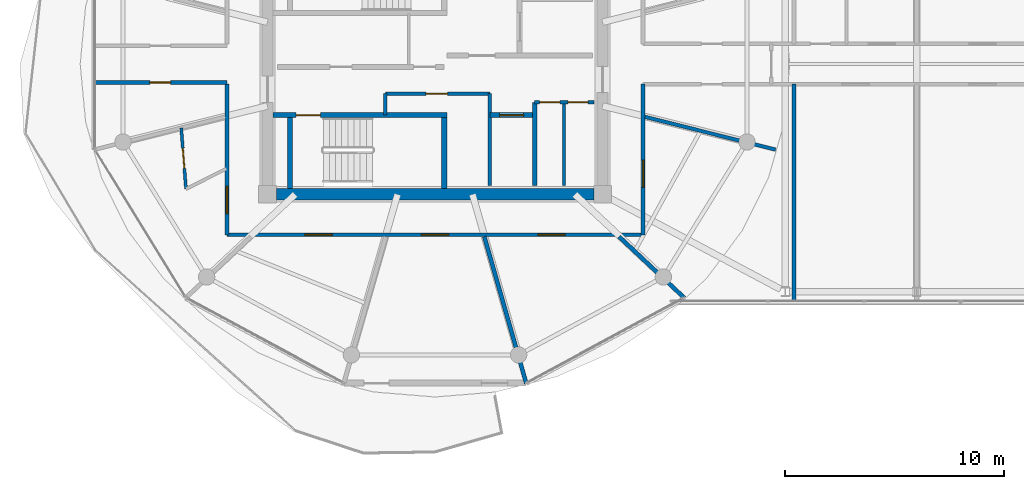
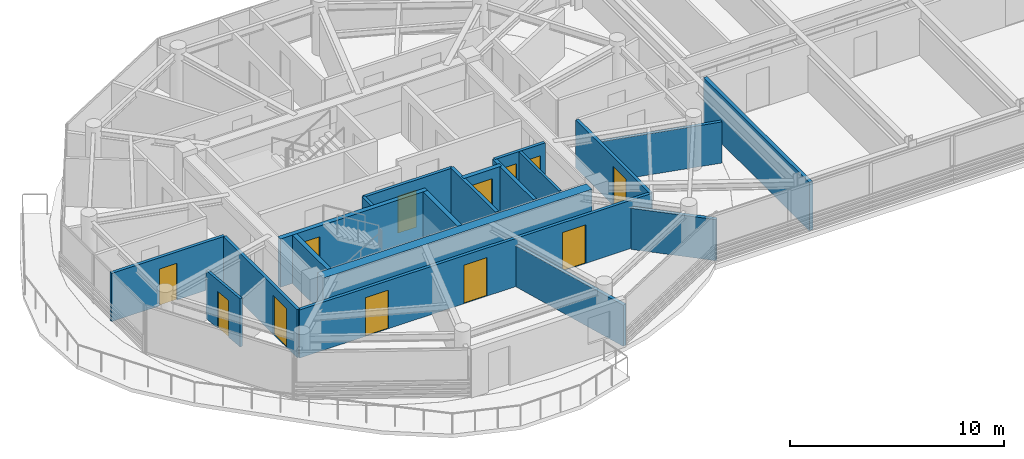
# One storey, part 13 of 24: 20 walls, 12 doors, 12 openings.
"""IFC4 building model written with IfcOpenShell, lengths in metres."""

from ifc_helpers import new_model, si_unit, direction, frame, frame_2d, origin, place, context, subcontext, project, spatial, rectangle, extrude, source, transform, mapped, material, layer, layer_set, type_object, type_shapes, element, fill, save


model = new_model("IFC4")

# Units and contexts
model_context = context("Model", 3, precision=1e-05, world=origin(), true_north=direction((0.0, 1.0)))
body_context = subcontext(model_context, "Body", "Model", "MODEL_VIEW")
ifc_project = project(units=[si_unit("LENGTHUNIT", "METRE"), si_unit("AREAUNIT", "SQUARE_METRE"), si_unit("VOLUMEUNIT", "CUBIC_METRE"), si_unit("PLANEANGLEUNIT", "RADIAN"), si_unit("MASSUNIT", "GRAM", prefix="KILO")], contexts=[model_context])

# Site, building, storey
site_placement = place(None, origin())
site = spatial("IfcSite", under=ifc_project, at=site_placement, CompositionType="ELEMENT")
building_placement = place(site_placement, origin())
building = spatial("IfcBuilding", under=site, at=building_placement, Name="Norrkilde Senior Care Towers", CompositionType="ELEMENT")
storey_placement = place(building_placement, frame((0.0, 0.0, 223.050048828125)))
storey = spatial("IfcBuildingStorey", under=building, at=storey_placement, Name="L69", CompositionType="ELEMENT", Elevation=223.050048828125)

# Wall
ifc_material_1 = material(Name="Concrete C50/60", Category="concrete")
ifc_layer_1 = layer(ifc_material_1, 0.52001953125)
ifc_layer_set_1 = layer_set([ifc_layer_1], Name="Concrete C50/60")
wall_type_1 = type_object("IfcWallType", Name="Core Shear Wall Z4 520", PredefinedType="SHEAR", material=ifc_layer_set_1)
shared_shape_1 = source(origin(), body_context, "Body", "SweptSolid", [
    extrude(rectangle(XDim=14.5, YDim=0.52001953125, at=frame_2d((7.25, 0.0))), origin(), (0.0, 0.0, 1.0), 2.760009765625),
])
type_shapes(wall_type_1, [shared_shape_1])
wall_1_placement = place(storey_placement, frame((-20.75, -5.949951171875, 0.0), z_axis=(0.0, 0.0, 1.0), x_axis=(-1.0, 0.0, 0.0)))
element("IfcWall", 1, at=wall_1_placement, inside=storey, type_object=wall_type_1, Name="L69 Core W South Shear Wall", PredefinedType="SHEAR", context=body_context, shape_type="MappedRepresentation", body=[
    mapped(shared_shape_1, transform((0.0, 0.0, 0.0), x_axis=(1.0, 0.0, 0.0), y_axis=(0.0, 1.0, 0.0), z_axis=(0.0, 0.0, 1.0), scale=1.0)),
])

# Wall, opening, door
ifc_material_2 = material(Name="Concrete C45/55", Category="concrete")
ifc_layer_2 = layer(ifc_material_2, 0.239990234375)
ifc_layer_set_2 = layer_set([ifc_layer_2], Name="Concrete C45/55")
wall_type_2 = type_object("IfcWallType", Name="Shaft and Stair Enclosure Wall 240", PredefinedType="PARTITIONING", material=ifc_layer_set_2)
shared_shape_2 = source(origin(), body_context, "Body", "SweptSolid", [
    extrude(rectangle(XDim=7.929931640625, YDim=0.239990234375, at=frame_2d((3.96484375, 0.0))), origin(), (0.0, 0.0, 1.0), 2.760009765625),
])
wall_2_placement = place(storey_placement, frame((-35.389892578125, -2.330078125, 0.0), z_axis=(0.0, 0.0, 1.0), x_axis=(1.0, 0.0, 0.0)))
wall_2 = element("IfcWall", 2, at=wall_2_placement, inside=storey, type_object=wall_type_2, Name="WL-INT-L69-W-ST2N", PredefinedType="PARTITIONING", context=body_context, shape_type="MappedRepresentation", body=[
    mapped(shared_shape_2, transform((0.0, 0.0, 0.0), x_axis=(1.0, 0.0, 0.0), y_axis=(0.0, 1.0, 0.0), z_axis=(0.0, 0.0, 1.0), scale=1.0)),
])
opening_1_placement = place(wall_2_placement, frame((1.050048828125, 0.0, 0.0)))
opening_1 = element("IfcOpeningElement", 3, at=opening_1_placement, cuts=wall_2, Name="Opening D-03", PredefinedType="OPENING", context=body_context, shape_type="SweptSolid", body=[
    extrude(rectangle(XDim=1.10009765625, YDim=2.14990234375, at=frame_2d((0.550048828125, 1.074951171875))), frame((0.0, 0.1298828125, 0.0), z_axis=(0.0, -1.0, 0.0), x_axis=(1.0, 0.0, 0.0)), (0.0, 0.0, 1.0), 0.260009765625),
])
ifc_material_3 = material(Name="Galvanised Painted Steel", Category="steel")
door_type_1 = type_object("IfcDoorType", Name="Stairwell Protected Fire Door 1100x2150", OperationType="NOTDEFINED", PredefinedType="DOOR", material=ifc_material_3)
shared_shape_3 = source(origin(), body_context, "Body", "SweptSolid", [
    extrude(rectangle(XDim=1.10009765625, YDim=2.14990234375, at=frame_2d((0.550048828125, 1.074951171875))), frame((0.0, 0.02490234375, 0.0), z_axis=(0.0, -1.0, 0.0), x_axis=(1.0, 0.0, 0.0)), (0.0, 0.0, 1.0), 0.050048828125),
])
type_shapes(door_type_1, [shared_shape_3])
door_1_placement = place(opening_1_placement, frame((1.10009765625, 0.0, 0.0), z_axis=(0.0, 0.0, 1.0), x_axis=(-1.0, 0.0, 0.0)))
door_1 = element("IfcDoor", 4, at=door_1_placement, inside=storey, type_object=door_type_1, Name="L69 Stair W2 Fire Door", OperationType="SINGLE_SWING_RIGHT", OverallHeight=2.14990234375, OverallWidth=1.10009765625, PredefinedType="DOOR", context=body_context, shape_type="MappedRepresentation", body=[
    mapped(shared_shape_3, transform((0.0, 0.0, 0.0), x_axis=(1.0, 0.0, 0.0), y_axis=(0.0, 1.0, 0.0), z_axis=(0.0, 0.0, 1.0), scale=1.0)),
])
fill(opening_1, door_1)

# Walls
shared_shape_4 = source(origin(), body_context, "Body", "SweptSolid", [
    extrude(rectangle(XDim=3.239990234375, YDim=0.239990234375, at=frame_2d((1.6201171875, 0.0))), origin(), (0.0, 0.0, 1.0), 2.760009765625),
])
type_shapes(wall_type_2, [shared_shape_2, shared_shape_4])
for number, where, z_axis, x_axis, name in (
    (5, (-34.6201171875, -5.68994140625, 0.0), (0.0, 0.0, 1.0), (0.0, 1.0, 0.0), "WL-INT-L69-W-ST2W"),
    (6, (-27.580078125, -5.68994140625, 0.0), (0.0, 0.0, 1.0), (0.0, 1.0, 0.0), "WL-INT-L69-W-ST2E"),
):
    element("IfcWall", number, at=place(storey_placement, frame(where, z_axis=z_axis, x_axis=x_axis)), inside=storey, type_object=wall_type_2, Name=name, PredefinedType="PARTITIONING", context=body_context, shape_type="MappedRepresentation", body=[
        mapped(shared_shape_4, transform((0.0, 0.0, 0.0), x_axis=(1.0, 0.0, 0.0), y_axis=(0.0, 1.0, 0.0), z_axis=(0.0, 0.0, 1.0), scale=1.0)),
    ])
ifc_material_4 = material(Name="Gypsum Acoustic Board")
ifc_layer_3 = layer(ifc_material_4, 0.1650390625)
ifc_layer_set_3 = layer_set([ifc_layer_3], Name="Gypsum Acoustic Board")
wall_type_3 = type_object("IfcWallType", Name="Corridor Rated Partition 165", PredefinedType="PARTITIONING", material=ifc_layer_set_3)
shared_shape_5 = source(origin(), body_context, "Body", "SweptSolid", [
    extrude(rectangle(XDim=6.1572265625, YDim=0.1650390625, at=frame_2d((3.07861328125, 0.0))), origin(), (0.0, 0.0, 1.0), 2.344970703125),
])
wall_3_placement = place(storey_placement, frame((-18.419921875, -2.407470703125, 0.0), z_axis=(0.0, 0.0, 1.0), x_axis=(0.969840867184, -0.243738984038, 0.0)))
element("IfcWall", 7, at=wall_3_placement, inside=storey, type_object=wall_type_3, Name="WL-INT-L69-W-DEM-11-0", PredefinedType="PARTITIONING", context=body_context, shape_type="MappedRepresentation", body=[
    mapped(shared_shape_5, transform((0.0, 0.0, 0.0), x_axis=(1.0, 0.0, 0.0), y_axis=(0.0, 1.0, 0.0), z_axis=(0.0, 0.0, 1.0), scale=1.0)),
])
ifc_layer_4 = layer(ifc_material_4, 0.18994140625)
ifc_layer_set_4 = layer_set([ifc_layer_4], Name="Gypsum Acoustic Board")
wall_type_4 = type_object("IfcWallType", Name="Unit Demising Acoustic Wall 190", PredefinedType="PARTITIONING", material=ifc_layer_set_4)
shared_shape_6 = source(origin(), body_context, "Body", "SweptSolid", [
    extrude(rectangle(XDim=4.089111328125, YDim=0.18994140625, at=frame_2d((2.04443359375, 0.0))), origin(), (0.0, 0.0, 1.0), 2.344970703125),
])
wall_4_placement = place(storey_placement, frame((-19.59814453125, -7.8798828125, 0.0), z_axis=(0.0, 0.0, 1.0), x_axis=(0.729401273609, -0.684086092577, 0.0)))
element("IfcWall", 8, at=wall_4_placement, inside=storey, type_object=wall_type_4, Name="WL-INT-L69-W-DEM-10-0", PredefinedType="PARTITIONING", context=body_context, shape_type="MappedRepresentation", body=[
    mapped(shared_shape_6, transform((0.0, 0.0, 0.0), x_axis=(1.0, 0.0, 0.0), y_axis=(0.0, 1.0, 0.0), z_axis=(0.0, 0.0, 1.0), scale=1.0)),
])
shared_shape_7 = source(origin(), body_context, "Body", "SweptSolid", [
    extrude(rectangle(XDim=6.973876953125, YDim=0.18994140625, at=frame_2d((3.48681640625, 0.0))), origin(), (0.0, 0.0, 1.0), 2.344970703125),
])
wall_5_placement = place(storey_placement, frame((-25.748779296875, -7.8798828125, 0.0), z_axis=(0.0, 0.0, 1.0), x_axis=(0.274707256801, -0.961527910703, 0.0)))
element("IfcWall", 9, at=wall_5_placement, inside=storey, type_object=wall_type_4, Name="WL-INT-L69-W-DEM-09-0", PredefinedType="PARTITIONING", context=body_context, shape_type="MappedRepresentation", body=[
    mapped(shared_shape_7, transform((0.0, 0.0, 0.0), x_axis=(1.0, 0.0, 0.0), y_axis=(0.0, 1.0, 0.0), z_axis=(0.0, 0.0, 1.0), scale=1.0)),
])
ifc_layer_5 = layer(ifc_material_2, 0.199951171875)
ifc_layer_set_5 = layer_set([ifc_layer_5], Name="Concrete C45/55")
wall_type_5 = type_object("IfcWallType", Name="Shaft Division and Plant Partition 200", PredefinedType="PARTITIONING", material=ifc_layer_set_5)
shared_shape_8 = source(origin(), body_context, "Body", "SweptSolid", [
    extrude(rectangle(XDim=3.800048828125, YDim=0.199951171875, at=frame_2d((1.89990234375, 0.0))), origin(), (0.0, 0.0, 1.0), 2.744873046875),
])
type_shapes(wall_type_5, [shared_shape_8])
wall_6_placement = place(storey_placement, frame((-23.449951171875, -5.550048828125, 0.0), z_axis=(0.0, 0.0, 1.0), x_axis=(0.0, 1.0, 0.0)))
element("IfcWall", 10, at=wall_6_placement, inside=storey, type_object=wall_type_5, Name="WL-INT-L69-W-PKBE", PredefinedType="PARTITIONING", context=body_context, shape_type="MappedRepresentation", body=[
    mapped(shared_shape_8, transform((0.0, 0.0, 0.0), x_axis=(1.0, 0.0, 0.0), y_axis=(0.0, 1.0, 0.0), z_axis=(0.0, 0.0, 1.0), scale=1.0)),
])

# Wall, opening, door
ifc_layer_6 = layer(ifc_material_2, 0.239990234375)
ifc_layer_set_6 = layer_set([ifc_layer_6], Name="Concrete C45/55")
wall_type_6 = type_object("IfcWallType", Name="Lift and Plant Rated Enclosure Partition 240", PredefinedType="PARTITIONING", material=ifc_layer_set_6)
shared_shape_9 = source(origin(), body_context, "Body", "SweptSolid", [
    extrude(rectangle(XDim=2.050048828125, YDim=0.239990234375, at=frame_2d((1.02490234375, 0.0))), origin(), (0.0, 0.0, 1.0), 2.744873046875),
])
type_shapes(wall_type_6, [shared_shape_9])
wall_7_placement = place(storey_placement, frame((-25.5, -2.330078125, 0.0), z_axis=(0.0, 0.0, 1.0), x_axis=(1.0, 0.0, 0.0)))
wall_7 = element("IfcWall", 11, at=wall_7_placement, inside=storey, type_object=wall_type_6, Name="WL-INT-L69-W-PL4N", PredefinedType="PARTITIONING", context=body_context, shape_type="MappedRepresentation", body=[
    mapped(shared_shape_9, transform((0.0, 0.0, 0.0), x_axis=(1.0, 0.0, 0.0), y_axis=(0.0, 1.0, 0.0), z_axis=(0.0, 0.0, 1.0), scale=1.0)),
])
opening_2_placement = place(wall_7_placement, frame((0.449951171875, 0.0, 0.0)))
opening_2 = element("IfcOpeningElement", 12, at=opening_2_placement, cuts=wall_7, Name="Opening LD-01", PredefinedType="OPENING", context=body_context, shape_type="SweptSolid", body=[
    extrude(rectangle(XDim=1.10009765625, YDim=2.199951171875, at=frame_2d((0.550048828125, 1.10009765625))), frame((0.0, 0.1298828125, 0.0), z_axis=(0.0, -1.0, 0.0), x_axis=(1.0, 0.0, 0.0)), (0.0, 0.0, 1.0), 0.260009765625),
])
ifc_material_5 = material(Name="Stainless Steel", Category="steel")
door_type_2 = type_object("IfcDoorType", Name="Lift Landing Sliding Door 1100x2200", OperationType="NOTDEFINED", PredefinedType="DOOR", material=ifc_material_5)
shared_shape_10 = source(origin(), body_context, "Body", "SweptSolid", [
    extrude(rectangle(XDim=1.10009765625, YDim=2.199951171875, at=frame_2d((0.550048828125, 1.10009765625))), frame((0.0, 0.02490234375, 0.0), z_axis=(0.0, -1.0, 0.0), x_axis=(1.0, 0.0, 0.0)), (0.0, 0.0, 1.0), 0.050048828125),
])
type_shapes(door_type_2, [shared_shape_10])
door_2_placement = place(opening_2_placement, frame((1.10009765625, 0.0, 0.0), z_axis=(0.0, 0.0, 1.0), x_axis=(-1.0, 0.0, 0.0)))
door_2 = element("IfcDoor", 13, at=door_2_placement, inside=storey, type_object=door_type_2, Name="L69 Passenger Lift W4 Landing Door", OperationType="SLIDING_TO_RIGHT", OverallHeight=2.199951171875, OverallWidth=1.10009765625, PredefinedType="DOOR", context=body_context, shape_type="MappedRepresentation", body=[
    mapped(shared_shape_10, transform((0.0, 0.0, 0.0), x_axis=(1.0, 0.0, 0.0), y_axis=(0.0, 1.0, 0.0), z_axis=(0.0, 0.0, 1.0), scale=1.0)),
])
fill(opening_2, door_2)

# Wall
ifc_layer_7 = layer(ifc_material_2, 0.179931640625)
ifc_layer_set_7 = layer_set([ifc_layer_7], Name="Concrete C45/55")
wall_type_7 = type_object("IfcWallType", Name="Hoistway Division Rated Partition 180", PredefinedType="PARTITIONING", material=ifc_layer_set_7)
shared_shape_11 = source(origin(), body_context, "Body", "SweptSolid", [
    extrude(rectangle(XDim=4.199951171875, YDim=0.179931640625, at=frame_2d((2.10009765625, 0.0))), origin(), (0.0, 0.0, 1.0), 2.744873046875),
])
type_shapes(wall_type_7, [shared_shape_11])
wall_8_placement = place(storey_placement, frame((-25.5, -5.550048828125, 0.0), z_axis=(0.0, 0.0, 1.0), x_axis=(0.0, 1.0, 0.0)))
element("IfcWall", 14, at=wall_8_placement, inside=storey, type_object=wall_type_7, Name="WL-INT-L69-W-PL4W", PredefinedType="PARTITIONING", context=body_context, shape_type="MappedRepresentation", body=[
    mapped(shared_shape_11, transform((0.0, 0.0, 0.0), x_axis=(1.0, 0.0, 0.0), y_axis=(0.0, 1.0, 0.0), z_axis=(0.0, 0.0, 1.0), scale=1.0)),
])

# Wall, opening, door
shared_shape_12 = source(origin(), body_context, "Body", "SweptSolid", [
    extrude(rectangle(XDim=4.77001953125, YDim=0.1650390625, at=frame_2d((2.385009765625, 0.0))), origin(), (0.0, 0.0, 1.0), 2.744873046875),
])
wall_9_placement = place(storey_placement, frame((-30.27001953125, -1.35009765625, 0.0), z_axis=(0.0, 0.0, 1.0), x_axis=(1.0, 0.0, 0.0)))
wall_9 = element("IfcWall", 15, at=wall_9_placement, inside=storey, type_object=wall_type_3, Name="WL-INT-L69-W-FR2N", PredefinedType="PARTITIONING", context=body_context, shape_type="MappedRepresentation", body=[
    mapped(shared_shape_12, transform((0.0, 0.0, 0.0), x_axis=(1.0, 0.0, 0.0), y_axis=(0.0, 1.0, 0.0), z_axis=(0.0, 0.0, 1.0), scale=1.0)),
])
opening_3_placement = place(wall_9_placement, frame((1.85009765625, 0.0, 0.0)))
opening_3 = element("IfcOpeningElement", 16, at=opening_3_placement, cuts=wall_9, Name="Opening D-10", PredefinedType="OPENING", context=body_context, shape_type="SweptSolid", body=[
    extrude(rectangle(XDim=1.0, YDim=2.10009765625, at=frame_2d((0.5, 1.050048828125))), frame((0.0, 0.092529296875, 0.0), z_axis=(0.0, -1.0, 0.0), x_axis=(1.0, 0.0, 0.0)), (0.0, 0.0, 1.0), 0.18505859375),
])
door_type_3 = type_object("IfcDoorType", Name="Plant and Riser Rated Door 1000x2100", OperationType="NOTDEFINED", PredefinedType="DOOR", material=ifc_material_3)
shared_shape_13 = source(origin(), body_context, "Body", "SweptSolid", [
    extrude(rectangle(XDim=1.0, YDim=2.10009765625, at=frame_2d((0.5, 1.050048828125))), frame((0.0, 0.02490234375, 0.0), z_axis=(0.0, -1.0, 0.0), x_axis=(1.0, 0.0, 0.0)), (0.0, 0.0, 1.0), 0.050048828125),
])
type_shapes(door_type_3, [shared_shape_13])
door_3_placement = place(opening_3_placement, origin())
door_3 = element("IfcDoor", 17, at=door_3_placement, inside=storey, type_object=door_type_3, Name="L69 Core Pantry W Door", OperationType="SINGLE_SWING_RIGHT", OverallHeight=2.10009765625, OverallWidth=1.0, PredefinedType="DOOR", context=body_context, shape_type="MappedRepresentation", body=[
    mapped(shared_shape_13, transform((0.0, 0.0, 0.0), x_axis=(1.0, 0.0, 0.0), y_axis=(0.0, 1.0, 0.0), z_axis=(0.0, 0.0, 1.0), scale=1.0)),
])
fill(opening_3, door_3)

# Wall
shared_shape_14 = source(origin(), body_context, "Body", "SweptSolid", [
    extrude(rectangle(XDim=0.97998046875, YDim=0.1650390625, at=frame_2d((0.489990234375, 0.0))), origin(), (0.0, 0.0, 1.0), 2.744873046875),
])
wall_10_placement = place(storey_placement, frame((-30.27001953125, -2.330078125, 0.0), z_axis=(0.0, 0.0, 1.0), x_axis=(0.0, 1.0, 0.0)))
element("IfcWall", 18, at=wall_10_placement, inside=storey, type_object=wall_type_3, Name="WL-INT-L69-W-FR2W", PredefinedType="PARTITIONING", context=body_context, shape_type="MappedRepresentation", body=[
    mapped(shared_shape_14, transform((0.0, 0.0, 0.0), x_axis=(1.0, 0.0, 0.0), y_axis=(0.0, 1.0, 0.0), z_axis=(0.0, 0.0, 1.0), scale=1.0)),
])

# Wall, openings, doors
shared_shape_15 = source(origin(), body_context, "Body", "SweptSolid", [
    extrude(rectangle(XDim=2.699951171875, YDim=0.1650390625, at=frame_2d((1.35009765625, 0.0))), origin(), (0.0, 0.0, 1.0), 2.744873046875),
])
wall_11_placement = place(storey_placement, frame((-23.449951171875, -1.75, 0.0), z_axis=(0.0, 0.0, 1.0), x_axis=(1.0, 0.0, 0.0)))
wall_11 = element("IfcWall", 19, at=wall_11_placement, inside=storey, type_object=wall_type_3, Name="WL-INT-L69-W-CSN", PredefinedType="PARTITIONING", context=body_context, shape_type="MappedRepresentation", body=[
    mapped(shared_shape_15, transform((0.0, 0.0, 0.0), x_axis=(1.0, 0.0, 0.0), y_axis=(0.0, 1.0, 0.0), z_axis=(0.0, 0.0, 1.0), scale=1.0)),
])
opening_4_placement = place(wall_11_placement, frame((0.222412109375, 0.0, 0.0)))
opening_4 = element("IfcOpeningElement", 20, at=opening_4_placement, cuts=wall_11, Name="Opening D-12", PredefinedType="OPENING", context=body_context, shape_type="SweptSolid", body=[
    extrude(rectangle(XDim=0.925048828125, YDim=2.10009765625, at=frame_2d((0.46240234375, 1.050048828125))), frame((0.0, 0.092529296875, 0.0), z_axis=(0.0, -1.0, 0.0), x_axis=(1.0, 0.0, 0.0)), (0.0, 0.0, 1.0), 0.18505859375),
])
opening_5_placement = place(wall_11_placement, frame((1.5224609375, 0.0, 0.0)))
opening_5 = element("IfcOpeningElement", 21, at=opening_5_placement, cuts=wall_11, Name="Opening D-12", PredefinedType="OPENING", context=body_context, shape_type="SweptSolid", body=[
    extrude(rectangle(XDim=0.925048828125, YDim=2.10009765625, at=frame_2d((0.46240234375, 1.050048828125))), frame((0.0, 0.092529296875, 0.0), z_axis=(0.0, -1.0, 0.0), x_axis=(1.0, 0.0, 0.0)), (0.0, 0.0, 1.0), 0.18505859375),
])
door_type_4 = type_object("IfcDoorType", Name="Core Wet Room Rated Door 925x2100", OperationType="NOTDEFINED", PredefinedType="DOOR", material=ifc_material_3)
shared_shape_16 = source(origin(), body_context, "Body", "SweptSolid", [
    extrude(rectangle(XDim=0.925048828125, YDim=2.10009765625, at=frame_2d((0.46240234375, 1.050048828125))), frame((0.0, 0.02490234375, 0.0), z_axis=(0.0, -1.0, 0.0), x_axis=(1.0, 0.0, 0.0)), (0.0, 0.0, 1.0), 0.050048828125),
])
type_shapes(door_type_4, [shared_shape_16])
door_4_placement = place(opening_4_placement, origin())
door_4 = element("IfcDoor", 22, at=door_4_placement, inside=storey, type_object=door_type_4, Name="L69 Staff Accessible WC W Door", OperationType="SINGLE_SWING_LEFT", OverallHeight=2.10009765625, OverallWidth=0.925048828125, PredefinedType="DOOR", context=body_context, shape_type="MappedRepresentation", body=[
    mapped(shared_shape_16, transform((0.0, 0.0, 0.0), x_axis=(1.0, 0.0, 0.0), y_axis=(0.0, 1.0, 0.0), z_axis=(0.0, 0.0, 1.0), scale=1.0)),
])
fill(opening_4, door_4)
door_5_placement = place(opening_5_placement, origin())
door_5 = element("IfcDoor", 23, at=door_5_placement, inside=storey, type_object=door_type_4, Name="L69 Housekeeping Store W Door", OperationType="SINGLE_SWING_RIGHT", OverallHeight=2.10009765625, OverallWidth=0.925048828125, PredefinedType="DOOR", context=body_context, shape_type="MappedRepresentation", body=[
    mapped(shared_shape_16, transform((0.0, 0.0, 0.0), x_axis=(1.0, 0.0, 0.0), y_axis=(0.0, 1.0, 0.0), z_axis=(0.0, 0.0, 1.0), scale=1.0)),
])
fill(opening_5, door_5)

shared_shape_17 = source(origin(), body_context, "Body", "SweptSolid", [
    extrude(rectangle(XDim=19.0, YDim=0.1650390625, at=frame_2d((9.5, 0.0))), origin(), (0.0, 0.0, 1.0), 2.744873046875),
])
wall_12_placement = place(storey_placement, frame((-18.5, -7.800048828125, 0.0), z_axis=(0.0, 0.0, 1.0), x_axis=(-1.0, 0.0, 0.0)))
wall_12 = element("IfcWall", 24, at=wall_12_placement, inside=storey, type_object=wall_type_3, Name="WL-INT-L69-W-CRW-S-0", PredefinedType="PARTITIONING", context=body_context, shape_type="MappedRepresentation", body=[
    mapped(shared_shape_17, transform((0.0, 0.0, 0.0), x_axis=(1.0, 0.0, 0.0), y_axis=(0.0, 1.0, 0.0), z_axis=(0.0, 0.0, 1.0), scale=1.0)),
])
opening_6_placement = place(wall_12_placement, frame((14.19140625, 0.0, 0.0)))
opening_6 = element("IfcOpeningElement", 25, at=opening_6_placement, cuts=wall_12, Name="Opening D-05", PredefinedType="OPENING", context=body_context, shape_type="SweptSolid", body=[
    extrude(rectangle(XDim=1.25, YDim=2.199951171875, at=frame_2d((0.625, 1.10009765625))), frame((0.0, 0.092529296875, 0.0), z_axis=(0.0, -1.0, 0.0), x_axis=(1.0, 0.0, 0.0)), (0.0, 0.0, 1.0), 0.18505859375),
])
opening_7_placement = place(wall_12_placement, frame((8.875, 0.0, 0.0)))
opening_7 = element("IfcOpeningElement", 26, at=opening_7_placement, cuts=wall_12, Name="Opening D-05", PredefinedType="OPENING", context=body_context, shape_type="SweptSolid", body=[
    extrude(rectangle(XDim=1.25, YDim=2.199951171875, at=frame_2d((0.625, 1.10009765625))), frame((0.0, 0.092529296875, 0.0), z_axis=(0.0, -1.0, 0.0), x_axis=(1.0, 0.0, 0.0)), (0.0, 0.0, 1.0), 0.18505859375),
])
opening_8_placement = place(wall_12_placement, frame((3.55859375, 0.0, 0.0)))
opening_8 = element("IfcOpeningElement", 27, at=opening_8_placement, cuts=wall_12, Name="Opening D-05", PredefinedType="OPENING", context=body_context, shape_type="SweptSolid", body=[
    extrude(rectangle(XDim=1.25, YDim=2.199951171875, at=frame_2d((0.625, 1.10009765625))), frame((0.0, 0.092529296875, 0.0), z_axis=(0.0, -1.0, 0.0), x_axis=(1.0, 0.0, 0.0)), (0.0, 0.0, 1.0), 0.18505859375),
])
ifc_material_6 = material(Name="Nordic Ash Timber", Category="wood")
door_type_5 = type_object("IfcDoorType", Name="Care Bedroom Bariatric Door 1250x2200", OperationType="NOTDEFINED", PredefinedType="DOOR", material=ifc_material_6)
shared_shape_18 = source(origin(), body_context, "Body", "SweptSolid", [
    extrude(rectangle(XDim=1.25, YDim=2.199951171875, at=frame_2d((0.625, 1.10009765625))), frame((0.0, 0.02490234375, 0.0), z_axis=(0.0, -1.0, 0.0), x_axis=(1.0, 0.0, 0.0)), (0.0, 0.0, 1.0), 0.050048828125),
])
type_shapes(door_type_5, [shared_shape_18])
door_6_placement = place(opening_6_placement, frame((1.25, 0.0, 0.0), z_axis=(0.0, 0.0, 1.0), x_axis=(-1.0, 0.0, 0.0)))
door_6 = element("IfcDoor", 28, at=door_6_placement, inside=storey, type_object=door_type_5, Name="L69 Household Communal Dining Salon Door", OperationType="SINGLE_SWING_RIGHT", OverallHeight=2.199951171875, OverallWidth=1.25, PredefinedType="DOOR", context=body_context, shape_type="MappedRepresentation", body=[
    mapped(shared_shape_18, transform((0.0, 0.0, 0.0), x_axis=(1.0, 0.0, 0.0), y_axis=(0.0, 1.0, 0.0), z_axis=(0.0, 0.0, 1.0), scale=1.0)),
])
fill(opening_6, door_6)
door_7_placement = place(opening_7_placement, frame((1.25, 0.0, 0.0), z_axis=(0.0, 0.0, 1.0), x_axis=(-1.0, 0.0, 0.0)))
door_7 = element("IfcDoor", 29, at=door_7_placement, inside=storey, type_object=door_type_5, Name="L69 Resident Therapeutic Day Lounge Door", OperationType="SINGLE_SWING_LEFT", OverallHeight=2.199951171875, OverallWidth=1.25, PredefinedType="DOOR", context=body_context, shape_type="MappedRepresentation", body=[
    mapped(shared_shape_18, transform((0.0, 0.0, 0.0), x_axis=(1.0, 0.0, 0.0), y_axis=(0.0, 1.0, 0.0), z_axis=(0.0, 0.0, 1.0), scale=1.0)),
])
fill(opening_7, door_7)
door_8_placement = place(opening_8_placement, frame((1.25, 0.0, 0.0), z_axis=(0.0, 0.0, 1.0), x_axis=(-1.0, 0.0, 0.0)))
door_8 = element("IfcDoor", 30, at=door_8_placement, inside=storey, type_object=door_type_5, Name="L69 Care Coordination Charting Office Door", OperationType="SINGLE_SWING_RIGHT", OverallHeight=2.199951171875, OverallWidth=1.25, PredefinedType="DOOR", context=body_context, shape_type="MappedRepresentation", body=[
    mapped(shared_shape_18, transform((0.0, 0.0, 0.0), x_axis=(1.0, 0.0, 0.0), y_axis=(0.0, 1.0, 0.0), z_axis=(0.0, 0.0, 1.0), scale=1.0)),
])
fill(opening_8, door_8)

# Wall, opening, door
shared_shape_19 = source(origin(), body_context, "Body", "SweptSolid", [
    extrude(rectangle(XDim=6.880126953125, YDim=0.1650390625, at=frame_2d((3.43994140625, 0.0))), origin(), (0.0, 0.0, 1.0), 2.744873046875),
])
wall_13_placement = place(storey_placement, frame((-37.5, -7.800048828125, 0.0), z_axis=(0.0, 0.0, 1.0), x_axis=(0.0, 1.0, 0.0)))
wall_13 = element("IfcWall", 31, at=wall_13_placement, inside=storey, type_object=wall_type_3, Name="WL-INT-L69-W-CRW-W-0", PredefinedType="PARTITIONING", context=body_context, shape_type="MappedRepresentation", body=[
    mapped(shared_shape_19, transform((0.0, 0.0, 0.0), x_axis=(1.0, 0.0, 0.0), y_axis=(0.0, 1.0, 0.0), z_axis=(0.0, 0.0, 1.0), scale=1.0)),
])
opening_9_placement = place(wall_13_placement, frame((0.96826171875, 0.0, 0.0)))
opening_9 = element("IfcOpeningElement", 32, at=opening_9_placement, cuts=wall_13, Name="Opening D-05", PredefinedType="OPENING", context=body_context, shape_type="SweptSolid", body=[
    extrude(rectangle(XDim=1.25, YDim=2.199951171875, at=frame_2d((0.625, 1.10009765625))), frame((0.0, 0.092529296875, 0.0), z_axis=(0.0, -1.0, 0.0), x_axis=(1.0, 0.0, 0.0)), (0.0, 0.0, 1.0), 0.18505859375),
])
door_9_placement = place(opening_9_placement, frame((1.25, 0.0, 0.0), z_axis=(0.0, 0.0, 1.0), x_axis=(-1.0, 0.0, 0.0)))
door_9 = element("IfcDoor", 33, at=door_9_placement, inside=storey, type_object=door_type_5, Name="L69 Care Suite 6906 Entrance Door", OperationType="SINGLE_SWING_LEFT", OverallHeight=2.199951171875, OverallWidth=1.25, PredefinedType="DOOR", context=body_context, shape_type="MappedRepresentation", body=[
    mapped(shared_shape_18, transform((0.0, 0.0, 0.0), x_axis=(1.0, 0.0, 0.0), y_axis=(0.0, 1.0, 0.0), z_axis=(0.0, 0.0, 1.0), scale=1.0)),
])
fill(opening_9, door_9)

wall_14_placement = place(storey_placement, frame((-18.5, -0.919921875, 0.0), z_axis=(0.0, 0.0, 1.0), x_axis=(0.0, -1.0, 0.0)))
wall_14 = element("IfcWall", 34, at=wall_14_placement, inside=storey, type_object=wall_type_3, Name="WL-INT-L69-W-CRW-E-1", PredefinedType="PARTITIONING", context=body_context, shape_type="MappedRepresentation", body=[
    mapped(shared_shape_19, transform((0.0, 0.0, 0.0), x_axis=(1.0, 0.0, 0.0), y_axis=(0.0, 1.0, 0.0), z_axis=(0.0, 0.0, 1.0), scale=1.0)),
])
opening_10_placement = place(wall_14_placement, frame((3.46435546875, 0.0, 0.0)))
opening_10 = element("IfcOpeningElement", 35, at=opening_10_placement, cuts=wall_14, Name="Opening D-05", PredefinedType="OPENING", context=body_context, shape_type="SweptSolid", body=[
    extrude(rectangle(XDim=1.25, YDim=2.199951171875, at=frame_2d((0.625, 1.10009765625))), frame((0.0, 0.092529296875, 0.0), z_axis=(0.0, -1.0, 0.0), x_axis=(1.0, 0.0, 0.0)), (0.0, 0.0, 1.0), 0.18505859375),
])
door_10_placement = place(opening_10_placement, frame((1.25, 0.0, 0.0), z_axis=(0.0, 0.0, 1.0), x_axis=(-1.0, 0.0, 0.0)))
door_10 = element("IfcDoor", 36, at=door_10_placement, inside=storey, type_object=door_type_5, Name="L69 Household Therapeutic Kitchen Door", OperationType="SINGLE_SWING_LEFT", OverallHeight=2.199951171875, OverallWidth=1.25, PredefinedType="DOOR", context=body_context, shape_type="MappedRepresentation", body=[
    mapped(shared_shape_18, transform((0.0, 0.0, 0.0), x_axis=(1.0, 0.0, 0.0), y_axis=(0.0, 1.0, 0.0), z_axis=(0.0, 0.0, 1.0), scale=1.0)),
])
fill(opening_10, door_10)

shared_shape_20 = source(origin(), body_context, "Body", "SweptSolid", [
    extrude(rectangle(XDim=6.101318359375, YDim=0.1650390625, at=frame_2d((3.05078125, 0.0))), origin(), (0.0, 0.0, 1.0), 2.744873046875),
])
type_shapes(wall_type_3, [shared_shape_5, shared_shape_12, shared_shape_14, shared_shape_15, shared_shape_17, shared_shape_19, shared_shape_20])
wall_15_placement = place(storey_placement, frame((-37.5, -0.840087890625, 0.0), z_axis=(0.0, 0.0, 1.0), x_axis=(-1.0, 0.0, 0.0)))
wall_15 = element("IfcWall", 37, at=wall_15_placement, inside=storey, type_object=wall_type_3, Name="WL-INT-L69-W-SPK-W2-0", PredefinedType="PARTITIONING", context=body_context, shape_type="MappedRepresentation", body=[
    mapped(shared_shape_20, transform((0.0, 0.0, 0.0), x_axis=(1.0, 0.0, 0.0), y_axis=(0.0, 1.0, 0.0), z_axis=(0.0, 0.0, 1.0), scale=1.0)),
])
opening_11_placement = place(wall_15_placement, frame((2.57568359375, 0.0, 0.0)))
opening_11 = element("IfcOpeningElement", 38, at=opening_11_placement, cuts=wall_15, Name="Opening D-07", PredefinedType="OPENING", context=body_context, shape_type="SweptSolid", body=[
    extrude(rectangle(XDim=0.949951171875, YDim=2.10009765625, at=frame_2d((0.47509765625, 1.050048828125))), frame((0.0, 0.092529296875, 0.0), z_axis=(0.0, -1.0, 0.0), x_axis=(1.0, 0.0, 0.0)), (0.0, 0.0, 1.0), 0.18505859375),
])
door_type_6 = type_object("IfcDoorType", Name="Internal Suite Bedroom Door 950x2100", OperationType="NOTDEFINED", PredefinedType="DOOR", material=ifc_material_6)
shared_shape_21 = source(origin(), body_context, "Body", "SweptSolid", [
    extrude(rectangle(XDim=0.949951171875, YDim=2.10009765625, at=frame_2d((0.47509765625, 1.050048828125))), frame((0.0, 0.02490234375, 0.0), z_axis=(0.0, -1.0, 0.0), x_axis=(1.0, 0.0, 0.0)), (0.0, 0.0, 1.0), 0.050048828125),
])
type_shapes(door_type_6, [shared_shape_21])
door_11_placement = place(opening_11_placement, frame((0.949951171875, 0.0, 0.0), z_axis=(0.0, 0.0, 1.0), x_axis=(-1.0, 0.0, 0.0)))
door_11 = element("IfcDoor", 39, at=door_11_placement, inside=storey, type_object=door_type_6, Name="L69 Sun Reading Lounge 1 Door", OperationType="SINGLE_SWING_RIGHT", OverallHeight=2.10009765625, OverallWidth=0.949951171875, PredefinedType="DOOR", context=body_context, shape_type="MappedRepresentation", body=[
    mapped(shared_shape_21, transform((0.0, 0.0, 0.0), x_axis=(1.0, 0.0, 0.0), y_axis=(0.0, 1.0, 0.0), z_axis=(0.0, 0.0, 1.0), scale=1.0)),
])
fill(opening_11, door_11)

ifc_layer_8 = layer(ifc_material_4, 0.139892578125)
ifc_layer_set_8 = layer_set([ifc_layer_8], Name="Gypsum Acoustic Board")
wall_type_8 = type_object("IfcWallType", Name="En-suite Wet Room Wall 140", PredefinedType="PARTITIONING", material=ifc_layer_set_8)
shared_shape_22 = source(origin(), body_context, "Body", "SweptSolid", [
    extrude(rectangle(XDim=2.79833984375, YDim=0.139892578125, at=frame_2d((1.399169921875, 0.0))), origin(), (0.0, 0.0, 1.0), 2.744873046875),
])
wall_16_placement = place(storey_placement, frame((-39.371337890625, -5.701416015625, 0.0), z_axis=(0.0, 0.0, 1.0), x_axis=(-0.077823984089, 0.996967114553, 0.0)))
wall_16 = element("IfcWall", 40, at=wall_16_placement, inside=storey, type_object=wall_type_8, Name="WL-INT-L69-W-EF-06", PredefinedType="PARTITIONING", context=body_context, shape_type="MappedRepresentation", body=[
    mapped(shared_shape_22, transform((0.0, 0.0, 0.0), x_axis=(1.0, 0.0, 0.0), y_axis=(0.0, 1.0, 0.0), z_axis=(0.0, 0.0, 1.0), scale=1.0)),
])
opening_12_placement = place(wall_16_placement, frame((0.939208984375, 0.0, 0.0)))
opening_12 = element("IfcOpeningElement", 41, at=opening_12_placement, cuts=wall_16, Name="Opening D-08", PredefinedType="OPENING", context=body_context, shape_type="SweptSolid", body=[
    extrude(rectangle(XDim=0.919921875, YDim=2.10009765625, at=frame_2d((0.4599609375, 1.050048828125))), frame((0.0, 0.079833984375, 0.0), z_axis=(0.0, -1.0, 0.0), x_axis=(1.0, 0.0, 0.0)), (0.0, 0.0, 1.0), 0.159912109375),
])
door_type_7 = type_object("IfcDoorType", Name="Accessible Wet Room Door 920x2100", OperationType="NOTDEFINED", PredefinedType="DOOR", material=ifc_material_6)
shared_shape_23 = source(origin(), body_context, "Body", "SweptSolid", [
    extrude(rectangle(XDim=0.919921875, YDim=2.10009765625, at=frame_2d((0.4599609375, 1.050048828125))), frame((0.0, 0.02490234375, 0.0), z_axis=(0.0, -1.0, 0.0), x_axis=(1.0, 0.0, 0.0)), (0.0, 0.0, 1.0), 0.050048828125),
])
type_shapes(door_type_7, [shared_shape_23])
door_12_placement = place(opening_12_placement, origin())
door_12 = element("IfcDoor", 42, at=door_12_placement, inside=storey, type_object=door_type_7, Name="L69 Care Suite 6906 Bathroom Door", OperationType="SINGLE_SWING_RIGHT", OverallHeight=2.10009765625, OverallWidth=0.919921875, PredefinedType="DOOR", context=body_context, shape_type="MappedRepresentation", body=[
    mapped(shared_shape_23, transform((0.0, 0.0, 0.0), x_axis=(1.0, 0.0, 0.0), y_axis=(0.0, 1.0, 0.0), z_axis=(0.0, 0.0, 1.0), scale=1.0)),
])
fill(opening_12, door_12)

# Walls
shared_shape_24 = source(origin(), body_context, "Body", "SweptSolid", [
    extrude(rectangle(XDim=9.880126953125, YDim=0.18994140625, at=frame_2d((4.93994140625, 0.0))), origin(), (0.0, 0.0, 1.0), 2.744873046875),
])
type_shapes(wall_type_4, [shared_shape_6, shared_shape_7, shared_shape_24])
wall_17_placement = place(storey_placement, frame((-11.60009765625, -10.800048828125, 0.0), z_axis=(0.0, 0.0, 1.0), x_axis=(0.0, 1.0, 0.0)))
element("IfcWall", 43, at=wall_17_placement, inside=storey, type_object=wall_type_4, Name="WL-INT-L69-BR-ES-12", PredefinedType="PARTITIONING", context=body_context, shape_type="MappedRepresentation", body=[
    mapped(shared_shape_24, transform((0.0, 0.0, 0.0), x_axis=(1.0, 0.0, 0.0), y_axis=(0.0, 1.0, 0.0), z_axis=(0.0, 0.0, 1.0), scale=1.0)),
])
shared_shape_25 = source(origin(), body_context, "Body", "SweptSolid", [
    extrude(rectangle(XDim=3.800048828125, YDim=0.139892578125, at=frame_2d((1.89990234375, 0.0))), origin(), (0.0, 0.0, 1.0), 2.744873046875),
])
type_shapes(wall_type_8, [shared_shape_22, shared_shape_25])
wall_18_placement = place(storey_placement, frame((-22.10009765625, -5.550048828125, 0.0), z_axis=(0.0, 0.0, 1.0), x_axis=(0.0, 1.0, 0.0)))
element("IfcWall", 44, at=wall_18_placement, inside=storey, type_object=wall_type_8, Name="WL-INT-L69-W-CS1V", PredefinedType="PARTITIONING", context=body_context, shape_type="MappedRepresentation", body=[
    mapped(shared_shape_25, transform((0.0, 0.0, 0.0), x_axis=(1.0, 0.0, 0.0), y_axis=(0.0, 1.0, 0.0), z_axis=(0.0, 0.0, 1.0), scale=1.0)),
])

save(model, "model.ifc")
